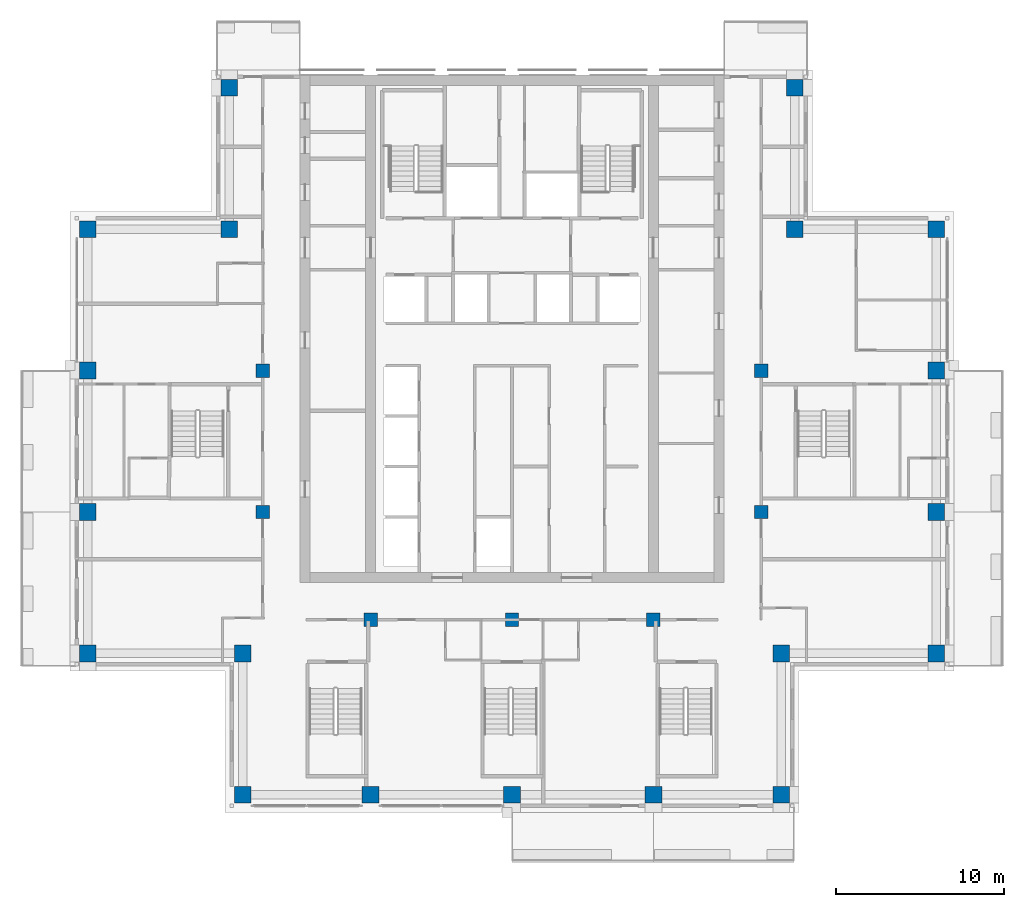
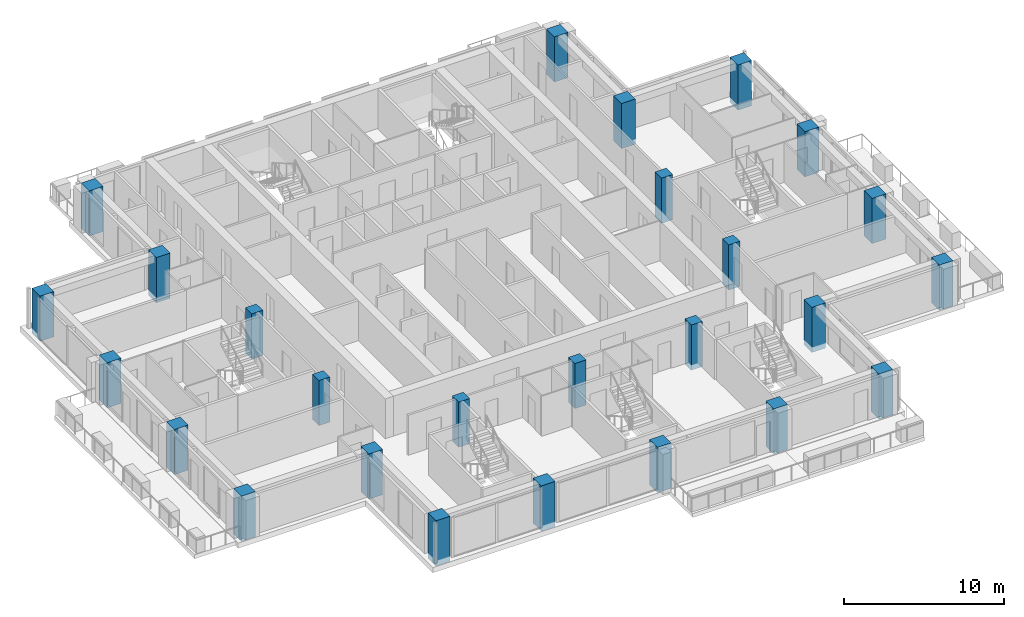
# One storey, part 1 of 17: 26 columns.
"""IFC4 building model written with IfcOpenShell, lengths in metres."""

from ifc_helpers import new_model, si_unit, direction, frame, origin, origin_2d, place, context, subcontext, project, spatial, rectangle, extrude, material, material_profile, profile_set, type_object, element, save


model = new_model("IFC4")

# Units and contexts
model_context = context("Model", 3, precision=1e-05, world=origin(), true_north=direction((0.0, 1.0)))
body_context = subcontext(model_context, "Body", "Model", "MODEL_VIEW")
ifc_project = project(units=[si_unit("LENGTHUNIT", "METRE"), si_unit("AREAUNIT", "SQUARE_METRE"), si_unit("VOLUMEUNIT", "CUBIC_METRE"), si_unit("PLANEANGLEUNIT", "RADIAN"), si_unit("MASSUNIT", "GRAM", prefix="KILO")], contexts=[model_context])

# Site, building, storey
site_placement = place(None, origin())
site = spatial("IfcSite", under=ifc_project, at=site_placement, CompositionType="ELEMENT")
building_placement = place(site_placement, origin())
building = spatial("IfcBuilding", under=site, at=building_placement, Name="Vermilion Ogive Tower", CompositionType="ELEMENT")
storey_placement = place(building_placement, frame((0.0, 0.0, 203.14990234375)))
storey = spatial("IfcBuildingStorey", under=building, at=storey_placement, Name="L53", CompositionType="ELEMENT", Elevation=203.14990234375)

# Columns
ifc_material_1 = material(Name="Concrete B60", Category="concrete")
ifc_material_profile_1 = material_profile(ifc_material_1, rectangle(XDim=1.0, YDim=1.0, at=origin_2d()), Name="1000 x 1000")
ifc_profile_set_1 = profile_set([ifc_material_profile_1], Name="Concrete B60")
column_type_1 = type_object("IfcColumnType", Name="Perimeter column 1000 x 1000 B60", PredefinedType="COLUMN", material=ifc_profile_set_1)
for number, where, z_axis, x_axis, name in (
    (1, (-16.0, -21.0, -0.39990234375), (0.0, 0.0, 1.0), (1.0, 0.0, 0.0), "COL-L53-P-0160-210"),
    (2, (-8.39990234375, -21.0, -0.39990234375), (0.0, 0.0, 1.0), (1.0, 0.0, 0.0), "COL-L53-P-0084-210"),
    (3, (0.0, -21.0, -0.39990234375), (0.0, 0.0, 1.0), (1.0, 0.0, 0.0), "COL-L53-P+0000-210"),
    (4, (8.39990234375, -21.0, -0.39990234375), (0.0, 0.0, 1.0), (1.0, 0.0, 0.0), "COL-L53-P+0084-210"),
    (5, (16.0, -21.0, -0.39990234375), (0.0, 0.0, 1.0), (1.0, 0.0, 0.0), "COL-L53-P+0160-210"),
    (6, (-25.199951171875, -12.60009765625, -0.39990234375), (0.0, 0.0, 1.0), (1.0, 0.0, 0.0), "COL-L53-P-0252-126"),
    (7, (-16.0, -12.60009765625, -0.39990234375), (0.0, 0.0, 1.0), (1.0, 0.0, 0.0), "COL-L53-P-0160-126"),
    (8, (16.0, -12.60009765625, -0.39990234375), (0.0, 0.0, 1.0), (1.0, 0.0, 0.0), "COL-L53-P+0160-126"),
    (9, (25.199951171875, -12.60009765625, -0.39990234375), (0.0, 0.0, 1.0), (1.0, 0.0, 0.0), "COL-L53-P+0252-126"),
    (10, (-25.199951171875, -4.199951171875, -0.39990234375), (0.0, 0.0, 1.0), (1.0, 0.0, 0.0), "COL-L53-P-0252-042"),
    (11, (25.199951171875, -4.199951171875, -0.39990234375), (0.0, 0.0, 1.0), (1.0, 0.0, 0.0), "COL-L53-P+0252-042"),
    (12, (-25.199951171875, 4.199951171875, -0.39990234375), (0.0, 0.0, 1.0), (1.0, 0.0, 0.0), "COL-L53-P-0252+042"),
    (13, (25.199951171875, 4.199951171875, -0.39990234375), (0.0, 0.0, 1.0), (1.0, 0.0, 0.0), "COL-L53-P+0252+042"),
    (14, (-25.199951171875, 12.60009765625, -0.39990234375), (0.0, 0.0, 1.0), (1.0, 0.0, 0.0), "COL-L53-P-0252+126"),
    (15, (-16.800048828125, 12.60009765625, -0.39990234375), (0.0, 0.0, 1.0), (1.0, 0.0, 0.0), "COL-L53-P-0168+126"),
    (16, (16.800048828125, 12.60009765625, -0.39990234375), (0.0, 0.0, 1.0), (1.0, 0.0, 0.0), "COL-L53-P+0168+126"),
    (17, (25.199951171875, 12.60009765625, -0.39990234375), (0.0, 0.0, 1.0), (1.0, 0.0, 0.0), "COL-L53-P+0252+126"),
    (18, (-16.800048828125, 21.0, -0.39990234375), (0.0, 0.0, 1.0), (1.0, 0.0, 0.0), "COL-L53-P-0168+210"),
    (19, (16.800048828125, 21.0, -0.39990234375), (0.0, 0.0, 1.0), (1.0, 0.0, 0.0), "COL-L53-P+0168+210"),
):
    element("IfcColumn", number, at=place(storey_placement, frame(where, z_axis=z_axis, x_axis=x_axis)), inside=storey, type_object=column_type_1, Name=name, PredefinedType="COLUMN", context=body_context, shape_type="SweptSolid", body=[
        extrude(rectangle(XDim=1.0, YDim=1.0, at=origin_2d()), origin(), (0.0, 0.0, 1.0), 3.449951171875),
    ])
ifc_material_2 = material(Name="Concrete B60", Category="concrete")
ifc_material_profile_2 = material_profile(ifc_material_2, rectangle(XDim=0.800048828125, YDim=0.800048828125, at=origin_2d()), Name="800 x 800")
ifc_profile_set_2 = profile_set([ifc_material_profile_2], Name="Concrete B60")
column_type_2 = type_object("IfcColumnType", Name="Ring column 800 x 800 B60", PredefinedType="COLUMN", material=ifc_profile_set_2)
for number, where, z_axis, x_axis, name in (
    (20, (-8.39990234375, -10.60009765625, -0.39990234375), (0.0, 0.0, 1.0), (1.0, 0.0, 0.0), "COL-L53-R-0084-106"),
    (21, (0.0, -10.60009765625, -0.39990234375), (0.0, 0.0, 1.0), (1.0, 0.0, 0.0), "COL-L53-R+0000-106"),
    (22, (8.39990234375, -10.60009765625, -0.39990234375), (0.0, 0.0, 1.0), (1.0, 0.0, 0.0), "COL-L53-R+0084-106"),
    (23, (-14.800048828125, -4.199951171875, -0.39990234375), (0.0, 0.0, 1.0), (1.0, 0.0, 0.0), "COL-L53-R-0148-042"),
    (24, (14.800048828125, -4.199951171875, -0.39990234375), (0.0, 0.0, 1.0), (1.0, 0.0, 0.0), "COL-L53-R+0148-042"),
    (25, (-14.800048828125, 4.199951171875, -0.39990234375), (0.0, 0.0, 1.0), (1.0, 0.0, 0.0), "COL-L53-R-0148+042"),
    (26, (14.800048828125, 4.199951171875, -0.39990234375), (0.0, 0.0, 1.0), (1.0, 0.0, 0.0), "COL-L53-R+0148+042"),
):
    element("IfcColumn", number, at=place(storey_placement, frame(where, z_axis=z_axis, x_axis=x_axis)), inside=storey, type_object=column_type_2, Name=name, PredefinedType="COLUMN", context=body_context, shape_type="SweptSolid", body=[
        extrude(rectangle(XDim=0.800048828125, YDim=0.800048828125, at=origin_2d()), origin(), (0.0, 0.0, 1.0), 3.449951171875),
    ])

save(model, "model.ifc")
